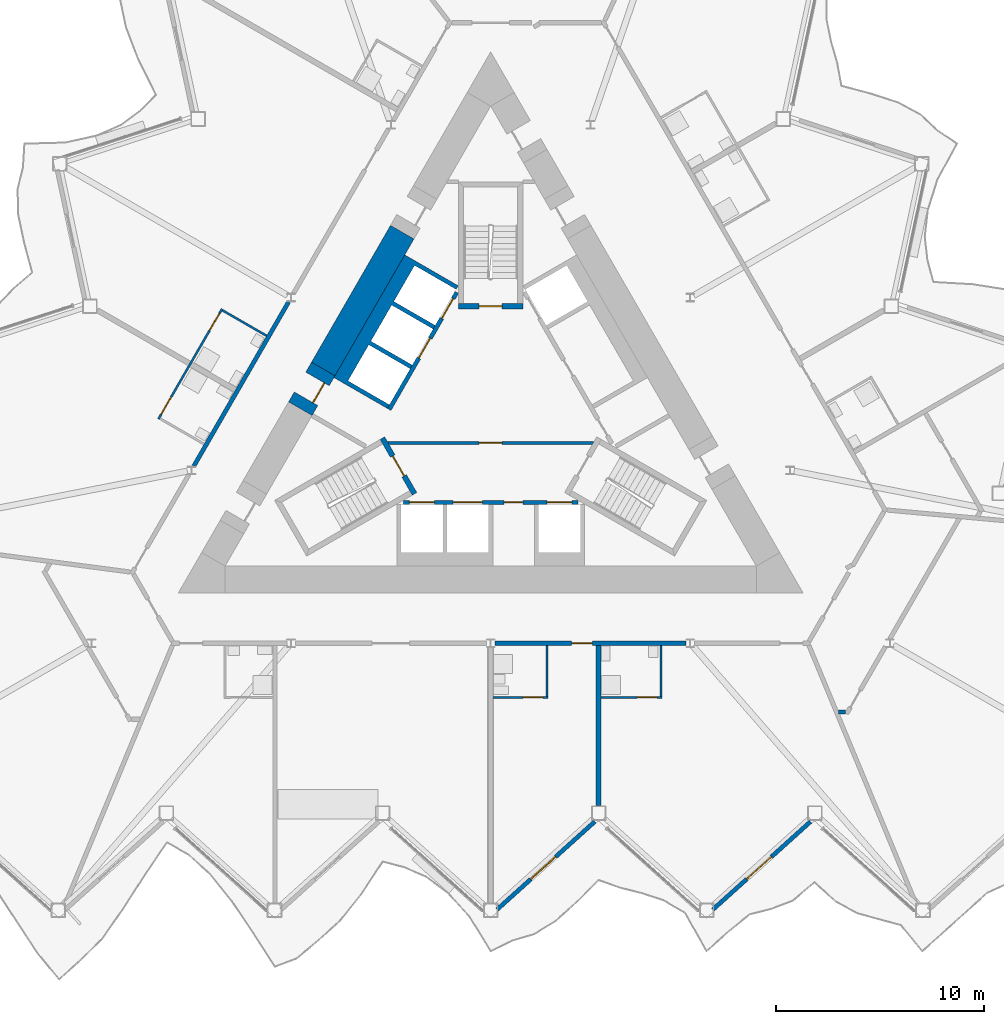
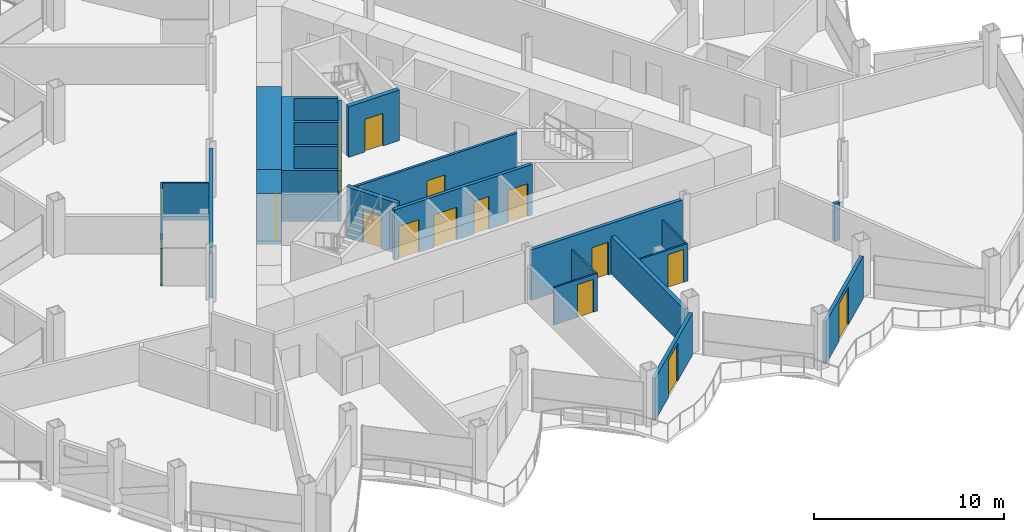
# One storey, part 12 of 23: 20 walls, 17 doors, 17 openings.
"""IFC4 building model written with IfcOpenShell, lengths in metres."""

from ifc_helpers import new_model, si_unit, direction, frame, frame_2d, origin, place, context, subcontext, project, spatial, polyline, rectangle, outline, extrude, material, layer, layer_set, type_object, element, fill, save


model = new_model("IFC4")

# Units and contexts
model_context = context("Model", 3, precision=1e-05, world=origin(), true_north=direction((0.0, 1.0)))
body_context = subcontext(model_context, "Body", "Model", "MODEL_VIEW")
ifc_project = project(units=[si_unit("LENGTHUNIT", "METRE"), si_unit("AREAUNIT", "SQUARE_METRE"), si_unit("VOLUMEUNIT", "CUBIC_METRE"), si_unit("PLANEANGLEUNIT", "RADIAN"), si_unit("MASSUNIT", "GRAM", prefix="KILO")], contexts=[model_context])

# Site, building, storey
site_placement = place(None, origin())
site = spatial("IfcSite", under=ifc_project, at=site_placement, CompositionType="ELEMENT")
building_placement = place(site_placement, origin())
building = spatial("IfcBuilding", under=site, at=building_placement, Name="Cormorant Prow Tower", CompositionType="ELEMENT")
storey_placement = place(building_placement, frame((0.0, 0.0, 252.60009765625)))
storey = spatial("IfcBuildingStorey", under=building, at=storey_placement, Name="L56", CompositionType="ELEMENT", Elevation=252.60009765625)

# Wall, opening, door
ifc_material_1 = material(Name="Gypsum board partition")
ifc_layer_1 = layer(ifc_material_1, 0.14990234375)
ifc_layer_set_1 = layer_set([ifc_layer_1], Name="Gypsum board partition")
wall_type_1 = type_object("IfcWallType", Name="Core partition 150", PredefinedType="PARTITIONING", material=ifc_layer_set_1)
wall_1_placement = place(storey_placement, frame((-4.941162109375, -1.449951171875, 0.0), z_axis=(0.0, 0.0, 1.0), x_axis=(1.0, 0.0, 0.0)))
wall_1 = element("IfcWall", 1, at=wall_1_placement, inside=storey, type_object=wall_type_1, Name="Firefighting lobby partition", PredefinedType="PARTITIONING", context=body_context, shape_type="SweptSolid", body=[
    extrude(rectangle(XDim=9.88232421875, YDim=0.14990234375, at=frame_2d((4.941162109375, 0.0))), origin(), (0.0, 0.0, 1.0), 3.25),
])
opening_1_placement = place(wall_1_placement, frame((4.39111328125, 0.0, 0.0)))
opening_1 = element("IfcOpeningElement", 2, at=opening_1_placement, cuts=wall_1, Name="Opening L56-C10", PredefinedType="OPENING", context=body_context, shape_type="SweptSolid", body=[
    extrude(rectangle(XDim=1.10009765625, YDim=2.10009765625, at=frame_2d((0.550048828125, 1.050048828125))), frame((0.0, 0.0849609375, 0.0), z_axis=(0.0, -1.0, 0.0), x_axis=(1.0, 0.0, 0.0)), (0.0, 0.0, 1.0), 0.169921875),
])
ifc_material_2 = material(Name="Painted steel", Category="steel")
door_type_1 = type_object("IfcDoorType", Name="Firefighting lobby door 1100x2100", OperationType="NOTDEFINED", PredefinedType="DOOR", material=ifc_material_2)
door_1_placement = place(opening_1_placement, origin())
door_1 = element("IfcDoor", 3, at=door_1_placement, inside=storey, type_object=door_type_1, Name="Firefighting lobby door", OperationType="SINGLE_SWING_LEFT", OverallHeight=2.10009765625, OverallWidth=1.10009765625, PredefinedType="DOOR", context=body_context, shape_type="SweptSolid", body=[
    extrude(rectangle(XDim=1.10009765625, YDim=2.10009765625, at=frame_2d((0.550048828125, 1.050048828125))), frame((0.0, 0.02490234375, 0.0), z_axis=(0.0, -1.0, 0.0), x_axis=(1.0, 0.0, 0.0)), (0.0, 0.0, 1.0), 0.050048828125),
])
fill(opening_1, door_1)

# Wall
ifc_material_3 = material(Name="Concrete 8000 psi", Category="concrete")
ifc_layer_2 = layer(ifc_material_3, 1.300048828125)
ifc_layer_set_2 = layer_set([ifc_layer_2], Name="Concrete 8000 psi")
wall_type_2 = type_object("IfcWallType", Name="Core shear wall 1300", PredefinedType="SHEAR", material=ifc_layer_set_2)
wall_2_placement = place(storey_placement, frame((-4.2451171875, 8.667724609375, 0.0), z_axis=(0.0, 0.0, 1.0), x_axis=(-0.500002971097, -0.866023688414, 0.0)))
element("IfcWall", 4, at=wall_2_placement, inside=storey, type_object=wall_type_2, Name="Core wall", PredefinedType="SHEAR", context=body_context, shape_type="SweptSolid", body=[
    extrude(rectangle(XDim=7.583984375, YDim=1.300048828125, at=frame_2d((3.7919921875, 0.0))), origin(), (0.0, 0.0, 1.0), 3.25),
])

# Wall, opening, door
wall_3_placement = place(storey_placement, frame((-8.037109375, 2.099853515625, 0.0), z_axis=(0.0, 0.0, 1.0), x_axis=(-0.50002983664, -0.866008176907, 0.0)))
wall_3 = element("IfcWall", 5, at=wall_3_placement, inside=storey, type_object=wall_type_2, Name="Core wall door panel", PredefinedType="SHEAR", context=body_context, shape_type="SweptSolid", body=[
    extrude(rectangle(XDim=2.199951171875, YDim=1.300048828125, at=frame_2d((1.10009765625, 0.0))), origin(), (0.0, 0.0, 1.0), 3.25),
])
opening_2_placement = place(wall_3_placement, frame((0.550048828125, 0.0, 0.0)))
opening_2 = element("IfcOpeningElement", 6, at=opening_2_placement, cuts=wall_3, Name="Opening L56-C19", PredefinedType="OPENING", context=body_context, shape_type="SweptSolid", body=[
    extrude(rectangle(XDim=1.10009765625, YDim=2.10009765625, at=frame_2d((0.550048828125, 1.050048828125))), frame((0.0, 0.659912109375, 0.0), z_axis=(0.0, -1.0, 0.0), x_axis=(1.0, 0.0, 0.0)), (0.0, 0.0, 1.0), 1.320068359375),
])
ifc_material_4 = material(Name="Painted steel", Category="steel")
door_type_2 = type_object("IfcDoorType", Name="Core door 1100x2100", OperationType="NOTDEFINED", PredefinedType="DOOR", material=ifc_material_4)
door_2_placement = place(opening_2_placement, origin())
door_2 = element("IfcDoor", 7, at=door_2_placement, inside=storey, type_object=door_type_2, Name="Core door, lift lobby", OperationType="SINGLE_SWING_RIGHT", OverallHeight=2.10009765625, OverallWidth=1.10009765625, PredefinedType="DOOR", context=body_context, shape_type="SweptSolid", body=[
    extrude(rectangle(XDim=1.10009765625, YDim=2.10009765625, at=frame_2d((0.550048828125, 1.050048828125))), frame((0.0, 0.40478515625, 0.0), z_axis=(0.0, -1.0, 0.0), x_axis=(1.0, 0.0, 0.0)), (0.0, 0.0, 1.0), 0.050048828125),
])
fill(opening_2, door_2)

ifc_material_5 = material(Name="Gypsum board corridor wall")
ifc_layer_3 = layer(ifc_material_5, 0.199951171875)
ifc_layer_set_3 = layer_set([ifc_layer_3], Name="Gypsum board corridor wall")
wall_type_3 = type_object("IfcWallType", Name="Corridor wall 200", PredefinedType="PARTITIONING", material=ifc_layer_set_3)
wall_4_placement = place(storey_placement, frame((0.20947265625, -11.060302734375, 0.0), z_axis=(0.0, 0.0, 1.0), x_axis=(1.0, 0.0, 0.0)))
wall_4 = element("IfcWall", 8, at=wall_4_placement, inside=storey, type_object=wall_type_3, Name="Corridor wall", PredefinedType="PARTITIONING", context=body_context, shape_type="SweptSolid", body=[
    extrude(rectangle(XDim=9.159423828125, YDim=0.199951171875, at=frame_2d((4.57958984375, 0.0))), origin(), (0.0, 0.0, 1.0), 3.25),
])
opening_3_placement = place(wall_4_placement, frame((3.676513671875, 0.0, 0.0)))
opening_3 = element("IfcOpeningElement", 9, at=opening_3_placement, cuts=wall_4, Name="Opening L56-F04", PredefinedType="OPENING", context=body_context, shape_type="SweptSolid", body=[
    extrude(rectangle(XDim=1.0, YDim=2.10009765625, at=frame_2d((0.5, 1.050048828125))), frame((0.0, 0.10986328125, 0.0), z_axis=(0.0, -1.0, 0.0), x_axis=(1.0, 0.0, 0.0)), (0.0, 0.0, 1.0), 0.219970703125),
])
ifc_material_6 = material(Name="Timber door leaf", Category="wood")
door_type_3 = type_object("IfcDoorType", Name="Flat or room entrance door 1000x2100", OperationType="NOTDEFINED", PredefinedType="DOOR", material=ifc_material_6)
door_3_placement = place(opening_3_placement, origin())
door_3 = element("IfcDoor", 10, at=door_3_placement, inside=storey, type_object=door_type_3, Name="Guest room door", OperationType="SINGLE_SWING_RIGHT", OverallHeight=2.10009765625, OverallWidth=1.0, PredefinedType="DOOR", context=body_context, shape_type="SweptSolid", body=[
    extrude(rectangle(XDim=1.0, YDim=2.10009765625, at=frame_2d((0.5, 1.050048828125))), frame((0.0, 0.02490234375, 0.0), z_axis=(0.0, -1.0, 0.0), x_axis=(1.0, 0.0, 0.0)), (0.0, 0.0, 1.0), 0.050048828125),
])
fill(opening_3, door_3)

# Walls
wall_5_placement = place(storey_placement, frame((-14.24658203125, -2.5556640625, 0.0), z_axis=(0.0, 0.0, 1.0), x_axis=(0.49998193945, 0.866035830797, 0.0)))
element("IfcWall", 11, at=wall_5_placement, inside=storey, type_object=wall_type_3, Name="Corridor wall", PredefinedType="PARTITIONING", context=body_context, shape_type="SweptSolid", body=[
    extrude(rectangle(XDim=9.094482421875, YDim=0.199951171875, at=frame_2d((4.54736328125, 0.0))), origin(), (0.0, 0.0, 1.0), 3.25),
])
ifc_material_7 = material(Name="Gypsum board demising wall")
ifc_layer_4 = layer(ifc_material_7, 0.199951171875)
ifc_layer_set_4 = layer_set([ifc_layer_4], Name="Gypsum board demising wall")
wall_type_4 = type_object("IfcWallType", Name="Demising wall 200", PredefinedType="PARTITIONING", material=ifc_layer_set_4)
wall_6_placement = place(storey_placement, frame((16.69775390625, -14.3603515625, 0.0), z_axis=(0.0, 0.0, 1.0), x_axis=(1.0, 0.0, 0.0)))
element("IfcWall", 12, at=wall_6_placement, inside=storey, type_object=wall_type_4, Name="Demising wall", PredefinedType="PARTITIONING", context=body_context, shape_type="SweptSolid", body=[
    extrude(rectangle(XDim=0.33837890625, YDim=0.199951171875, at=frame_2d((0.169189453125, 0.0))), origin(), (0.0, 0.0, 1.0), 2.404052734375),
])

# Wall, openings, doors
ifc_material_8 = material(Name="Gypsum board partition")
ifc_layer_5 = layer(ifc_material_8, 0.10009765625)
ifc_layer_set_5 = layer_set([ifc_layer_5], Name="Gypsum board partition")
wall_type_5 = type_object("IfcWallType", Name="Internal partition 100", PredefinedType="PARTITIONING", material=ifc_layer_set_5)
wall_7_placement = place(storey_placement, frame((-15.94482421875, -0.296875, 0.0), z_axis=(0.0, 0.0, 1.0), x_axis=(0.499978833458, 0.866037623948, 0.0)))
wall_7 = element("IfcWall", 13, at=wall_7_placement, inside=storey, type_object=wall_type_5, Name="Internal partition", PredefinedType="PARTITIONING", context=body_context, shape_type="SweptSolid", body=[
    extrude(rectangle(XDim=6.099853515625, YDim=0.10009765625, at=frame_2d((3.0498046875, 0.0))), origin(), (0.0, 0.0, 1.0), 2.404052734375),
])
opening_4_placement = place(wall_7_placement, frame((4.89990234375, 0.0, 0.0)))
opening_4 = element("IfcOpeningElement", 14, at=opening_4_placement, cuts=wall_7, Name="Opening L56-F22", PredefinedType="OPENING", context=body_context, shape_type="SweptSolid", body=[
    extrude(rectangle(XDim=0.949951171875, YDim=2.10009765625, at=frame_2d((0.47509765625, 1.050048828125))), frame((0.0, 0.06005859375, 0.0), z_axis=(0.0, -1.0, 0.0), x_axis=(1.0, 0.0, 0.0)), (0.0, 0.0, 1.0), 0.1201171875),
])
opening_5_placement = place(wall_7_placement, frame((0.25, 0.0, 0.0)))
opening_5 = element("IfcOpeningElement", 15, at=opening_5_placement, cuts=wall_7, Name="Opening L56-F24", PredefinedType="OPENING", context=body_context, shape_type="SweptSolid", body=[
    extrude(rectangle(XDim=0.949951171875, YDim=2.10009765625, at=frame_2d((0.47509765625, 1.050048828125))), frame((0.0, 0.06005859375, 0.0), z_axis=(0.0, -1.0, 0.0), x_axis=(1.0, 0.0, 0.0)), (0.0, 0.0, 1.0), 0.1201171875),
])
ifc_material_9 = material(Name="Timber door leaf", Category="wood")
door_type_4 = type_object("IfcDoorType", Name="Bathroom door 950x2100", OperationType="NOTDEFINED", PredefinedType="DOOR", material=ifc_material_9)
door_4_placement = place(opening_4_placement, origin())
door_4 = element("IfcDoor", 16, at=door_4_placement, inside=storey, type_object=door_type_4, Name="Executive suite bedroom door", OperationType="SINGLE_SWING_RIGHT", OverallHeight=2.10009765625, OverallWidth=0.949951171875, PredefinedType="DOOR", context=body_context, shape_type="SweptSolid", body=[
    extrude(rectangle(XDim=0.949951171875, YDim=2.10009765625, at=frame_2d((0.47509765625, 1.050048828125))), frame((0.0, 0.02490234375, 0.0), z_axis=(0.0, -1.0, 0.0), x_axis=(1.0, 0.0, 0.0)), (0.0, 0.0, 1.0), 0.050048828125),
])
fill(opening_4, door_4)
door_5_placement = place(opening_5_placement, origin())
door_5 = element("IfcDoor", 17, at=door_5_placement, inside=storey, type_object=door_type_4, Name="Executive suite bedroom door", OperationType="SINGLE_SWING_LEFT", OverallHeight=2.10009765625, OverallWidth=0.949951171875, PredefinedType="DOOR", context=body_context, shape_type="SweptSolid", body=[
    extrude(rectangle(XDim=0.949951171875, YDim=2.10009765625, at=frame_2d((0.47509765625, 1.050048828125))), frame((0.0, 0.02490234375, 0.0), z_axis=(0.0, -1.0, 0.0), x_axis=(1.0, 0.0, 0.0)), (0.0, 0.0, 1.0), 0.050048828125),
])
fill(opening_5, door_5)

# Wall, opening, door
wall_8_placement = place(storey_placement, frame((5.304443359375, -13.660400390625, 0.0), z_axis=(0.0, 0.0, 1.0), x_axis=(1.0, 0.0, 0.0)))
wall_8 = element("IfcWall", 18, at=wall_8_placement, inside=storey, type_object=wall_type_5, Name="Internal partition", PredefinedType="PARTITIONING", context=body_context, shape_type="SweptSolid", body=[
    extrude(rectangle(XDim=2.925048828125, YDim=0.10009765625, at=frame_2d((1.46240234375, 0.0))), origin(), (0.0, 0.0, 1.0), 2.404052734375),
])
opening_6_placement = place(wall_8_placement, frame((1.72509765625, 0.0, 0.0)))
opening_6 = element("IfcOpeningElement", 19, at=opening_6_placement, cuts=wall_8, Name="Opening L56-F07", PredefinedType="OPENING", context=body_context, shape_type="SweptSolid", body=[
    extrude(rectangle(XDim=0.949951171875, YDim=2.10009765625, at=frame_2d((0.47509765625, 1.050048828125))), frame((0.0, 0.06005859375, 0.0), z_axis=(0.0, -1.0, 0.0), x_axis=(1.0, 0.0, 0.0)), (0.0, 0.0, 1.0), 0.1201171875),
])
door_6_placement = place(opening_6_placement, origin())
door_6 = element("IfcDoor", 20, at=door_6_placement, inside=storey, type_object=door_type_4, Name="Executive suite bedroom door", OperationType="SINGLE_SWING_RIGHT", OverallHeight=2.10009765625, OverallWidth=0.949951171875, PredefinedType="DOOR", context=body_context, shape_type="SweptSolid", body=[
    extrude(rectangle(XDim=0.949951171875, YDim=2.10009765625, at=frame_2d((0.47509765625, 1.050048828125))), frame((0.0, 0.02490234375, 0.0), z_axis=(0.0, -1.0, 0.0), x_axis=(1.0, 0.0, 0.0)), (0.0, 0.0, 1.0), 0.050048828125),
])
fill(opening_6, door_6)

wall_9_placement = place(storey_placement, frame((0.10009765625, -13.660400390625, 0.0), z_axis=(0.0, 0.0, 1.0), x_axis=(1.0, 0.0, 0.0)))
wall_9 = element("IfcWall", 21, at=wall_9_placement, inside=storey, type_object=wall_type_5, Name="Internal partition", PredefinedType="PARTITIONING", context=body_context, shape_type="SweptSolid", body=[
    extrude(rectangle(XDim=2.64990234375, YDim=0.10009765625, at=frame_2d((1.324951171875, 0.0))), origin(), (0.0, 0.0, 1.0), 2.404052734375),
])
opening_7_placement = place(wall_9_placement, frame((1.449951171875, 0.0, 0.0)))
opening_7 = element("IfcOpeningElement", 22, at=opening_7_placement, cuts=wall_9, Name="Opening L56-F05", PredefinedType="OPENING", context=body_context, shape_type="SweptSolid", body=[
    extrude(rectangle(XDim=0.949951171875, YDim=2.10009765625, at=frame_2d((0.47509765625, 1.050048828125))), frame((0.0, 0.06005859375, 0.0), z_axis=(0.0, -1.0, 0.0), x_axis=(1.0, 0.0, 0.0)), (0.0, 0.0, 1.0), 0.1201171875),
])
door_7_placement = place(opening_7_placement, origin())
door_7 = element("IfcDoor", 23, at=door_7_placement, inside=storey, type_object=door_type_4, Name="Guest room door", OperationType="SINGLE_SWING_RIGHT", OverallHeight=2.10009765625, OverallWidth=0.949951171875, PredefinedType="DOOR", context=body_context, shape_type="SweptSolid", body=[
    extrude(rectangle(XDim=0.949951171875, YDim=2.10009765625, at=frame_2d((0.47509765625, 1.050048828125))), frame((0.0, 0.02490234375, 0.0), z_axis=(0.0, -1.0, 0.0), x_axis=(1.0, 0.0, 0.0)), (0.0, 0.0, 1.0), 0.050048828125),
])
fill(opening_7, door_7)

# Walls
for number, where, z_axis, x_axis, name in (
    (24, (-12.876708984375, 4.91748046875, 0.0), (0.0, 0.0, 1.0), (0.866057815567, -0.499943856944, 0.0), "Internal partition"),
    (25, (2.699951171875, -13.6103515625, 0.0), (0.0, 0.0, 1.0), (0.0, 1.0, 0.0), "Internal partition"),
    (26, (8.179443359375, -13.6103515625, 0.0), (0.0, 0.0, 1.0), (0.0, 1.0, 0.0), "Internal partition"),
):
    element("IfcWall", number, at=place(storey_placement, frame(where, z_axis=z_axis, x_axis=x_axis)), inside=storey, type_object=wall_type_5, Name=name, PredefinedType="PARTITIONING", context=body_context, shape_type="SweptSolid", body=[
        extrude(rectangle(XDim=2.449951171875, YDim=0.10009765625, at=frame_2d((1.22509765625, 0.0))), origin(), (0.0, 0.0, 1.0), 2.404052734375),
    ])

# Wall, openings, doors
ifc_material_10 = material(Name="Concrete 5000 psi", Category="concrete")
ifc_layer_6 = layer(ifc_material_10, 0.199951171875)
ifc_layer_set_6 = layer_set([ifc_layer_6], Name="Concrete 5000 psi")
wall_type_6 = type_object("IfcWallType", Name="Lift lobby wall 200", PredefinedType="SOLIDWALL", material=ifc_layer_set_6)
wall_10_placement = place(storey_placement, frame((-4.1865234375, -4.300048828125, 0.0), z_axis=(0.0, 0.0, 1.0), x_axis=(1.0, 0.0, 0.0)))
wall_10 = element("IfcWall", 27, at=wall_10_placement, inside=storey, type_object=wall_type_6, Name="Lift lobby wall, S block", PredefinedType="SOLIDWALL", context=body_context, shape_type="SweptSolid", body=[
    extrude(rectangle(XDim=8.373046875, YDim=0.199951171875, at=frame_2d((4.1865234375, 0.0))), origin(), (0.0, 0.0, 1.0), 3.25),
])
opening_8_placement = place(wall_10_placement, frame((0.28662109375, 0.0, 0.0)))
opening_8 = element("IfcOpeningElement", 28, at=opening_8_placement, cuts=wall_10, Name="Opening L56-C01", PredefinedType="OPENING", context=body_context, shape_type="SweptSolid", body=[
    extrude(rectangle(XDim=1.199951171875, YDim=2.10009765625, at=frame_2d((0.60009765625, 1.050048828125))), frame((0.0, 0.10986328125, 0.0), z_axis=(0.0, -1.0, 0.0), x_axis=(1.0, 0.0, 0.0)), (0.0, 0.0, 1.0), 0.219970703125),
])
opening_9_placement = place(wall_10_placement, frame((2.38671875, 0.0, 0.0)))
opening_9 = element("IfcOpeningElement", 29, at=opening_9_placement, cuts=wall_10, Name="Opening L56-C02", PredefinedType="OPENING", context=body_context, shape_type="SweptSolid", body=[
    extrude(rectangle(XDim=1.39990234375, YDim=2.10009765625, at=frame_2d((0.699951171875, 1.050048828125))), frame((0.0, 0.10986328125, 0.0), z_axis=(0.0, -1.0, 0.0), x_axis=(1.0, 0.0, 0.0)), (0.0, 0.0, 1.0), 0.219970703125),
])
opening_10_placement = place(wall_10_placement, frame((4.836669921875, 0.0, 0.0)))
opening_10 = element("IfcOpeningElement", 30, at=opening_10_placement, cuts=wall_10, Name="Opening L56-C03", PredefinedType="OPENING", context=body_context, shape_type="SweptSolid", body=[
    extrude(rectangle(XDim=0.89990234375, YDim=2.10009765625, at=frame_2d((0.449951171875, 1.050048828125))), frame((0.0, 0.10986328125, 0.0), z_axis=(0.0, -1.0, 0.0), x_axis=(1.0, 0.0, 0.0)), (0.0, 0.0, 1.0), 0.219970703125),
])
opening_11_placement = place(wall_10_placement, frame((6.88671875, 0.0, 0.0)))
opening_11 = element("IfcOpeningElement", 31, at=opening_11_placement, cuts=wall_10, Name="Opening L56-C04", PredefinedType="OPENING", context=body_context, shape_type="SweptSolid", body=[
    extrude(rectangle(XDim=1.199951171875, YDim=2.10009765625, at=frame_2d((0.60009765625, 1.050048828125))), frame((0.0, 0.10986328125, 0.0), z_axis=(0.0, -1.0, 0.0), x_axis=(1.0, 0.0, 0.0)), (0.0, 0.0, 1.0), 0.219970703125),
])
ifc_material_11 = material(Name="Painted steel", Category="steel")
door_type_5 = type_object("IfcDoorType", Name="Firefighting lift landing door 1200x2100", OperationType="SLIDING_TO_LEFT", PredefinedType="DOOR", material=ifc_material_11)
door_8_placement = place(opening_8_placement, origin())
door_8 = element("IfcDoor", 32, at=door_8_placement, inside=storey, type_object=door_type_5, Name="Landing door FL1", OperationType="SLIDING_TO_LEFT", OverallHeight=2.10009765625, OverallWidth=1.199951171875, PredefinedType="DOOR", context=body_context, shape_type="SweptSolid", body=[
    extrude(rectangle(XDim=1.199951171875, YDim=2.10009765625, at=frame_2d((0.60009765625, 1.050048828125))), frame((0.0, 0.02490234375, 0.0), z_axis=(0.0, -1.0, 0.0), x_axis=(1.0, 0.0, 0.0)), (0.0, 0.0, 1.0), 0.050048828125),
])
fill(opening_8, door_8)
door_9_placement = place(opening_11_placement, origin())
door_9 = element("IfcDoor", 33, at=door_9_placement, inside=storey, type_object=door_type_5, Name="Landing door FL2", OperationType="SLIDING_TO_LEFT", OverallHeight=2.10009765625, OverallWidth=1.199951171875, PredefinedType="DOOR", context=body_context, shape_type="SweptSolid", body=[
    extrude(rectangle(XDim=1.199951171875, YDim=2.10009765625, at=frame_2d((0.60009765625, 1.050048828125))), frame((0.0, 0.02490234375, 0.0), z_axis=(0.0, -1.0, 0.0), x_axis=(1.0, 0.0, 0.0)), (0.0, 0.0, 1.0), 0.050048828125),
])
fill(opening_11, door_9)
ifc_material_12 = material(Name="Painted steel", Category="steel")
door_type_6 = type_object("IfcDoorType", Name="Service door 900x2100", OperationType="NOTDEFINED", PredefinedType="DOOR", material=ifc_material_12)
door_10_placement = place(opening_10_placement, origin())
door_10 = element("IfcDoor", 34, at=door_10_placement, inside=storey, type_object=door_type_6, Name="Service door, Refuse store", OperationType="SINGLE_SWING_RIGHT", OverallHeight=2.10009765625, OverallWidth=0.89990234375, PredefinedType="DOOR", context=body_context, shape_type="SweptSolid", body=[
    extrude(rectangle(XDim=0.89990234375, YDim=2.10009765625, at=frame_2d((0.449951171875, 1.050048828125))), frame((0.0, 0.02490234375, 0.0), z_axis=(0.0, -1.0, 0.0), x_axis=(1.0, 0.0, 0.0)), (0.0, 0.0, 1.0), 0.050048828125),
])
fill(opening_10, door_10)
ifc_material_13 = material(Name="Painted steel", Category="steel")
door_type_7 = type_object("IfcDoorType", Name="Service lift landing door 1400x2100", OperationType="SLIDING_TO_LEFT", PredefinedType="DOOR", material=ifc_material_13)
door_11_placement = place(opening_9_placement, origin())
door_11 = element("IfcDoor", 35, at=door_11_placement, inside=storey, type_object=door_type_7, Name="Landing door SL1", OperationType="SLIDING_TO_LEFT", OverallHeight=2.10009765625, OverallWidth=1.39990234375, PredefinedType="DOOR", context=body_context, shape_type="SweptSolid", body=[
    extrude(rectangle(XDim=1.39990234375, YDim=2.10009765625, at=frame_2d((0.699951171875, 1.050048828125))), frame((0.0, 0.02490234375, 0.0), z_axis=(0.0, -1.0, 0.0), x_axis=(1.0, 0.0, 0.0)), (0.0, 0.0, 1.0), 0.050048828125),
])
fill(opening_9, door_11)

wall_11_placement = place(storey_placement, frame((-1.630615234375, 5.775634765625, 0.0), z_axis=(0.0, 0.0, 1.0), x_axis=(-0.499992876559, -0.866029516466, 0.0)))
wall_11 = element("IfcWall", 36, at=wall_11_placement, inside=storey, type_object=wall_type_6, Name="Lift lobby wall, WNW block", PredefinedType="SOLIDWALL", context=body_context, shape_type="SweptSolid", body=[
    extrude(rectangle(XDim=6.486328125, YDim=0.199951171875, at=frame_2d((3.2431640625, 0.0))), origin(), (0.0, 0.0, 1.0), 3.25),
])
opening_12_placement = place(wall_11_placement, frame((0.336669921875, 0.0, 0.0)))
opening_12 = element("IfcOpeningElement", 37, at=opening_12_placement, cuts=wall_11, Name="Opening L56-C08", PredefinedType="OPENING", context=body_context, shape_type="SweptSolid", body=[
    extrude(rectangle(XDim=1.10009765625, YDim=2.10009765625, at=frame_2d((0.550048828125, 1.050048828125))), frame((0.0, 0.10986328125, 0.0), z_axis=(0.0, -1.0, 0.0), x_axis=(1.0, 0.0, 0.0)), (0.0, 0.0, 1.0), 0.219970703125),
])
opening_13_placement = place(wall_11_placement, frame((2.53662109375, 0.0, 0.0)))
opening_13 = element("IfcOpeningElement", 38, at=opening_13_placement, cuts=wall_11, Name="Opening L56-C09", PredefinedType="OPENING", context=body_context, shape_type="SweptSolid", body=[
    extrude(rectangle(XDim=1.10009765625, YDim=2.10009765625, at=frame_2d((0.550048828125, 1.050048828125))), frame((0.0, 0.10986328125, 0.0), z_axis=(0.0, -1.0, 0.0), x_axis=(1.0, 0.0, 0.0)), (0.0, 0.0, 1.0), 0.219970703125),
])
ifc_material_14 = material(Name="Painted steel", Category="steel")
door_type_8 = type_object("IfcDoorType", Name="Lift landing door 1100x2100", OperationType="SLIDING_TO_LEFT", PredefinedType="DOOR", material=ifc_material_14)
door_12_placement = place(opening_12_placement, origin())
door_12 = element("IfcDoor", 39, at=door_12_placement, inside=storey, type_object=door_type_8, Name="Landing door MR2", OperationType="SLIDING_TO_LEFT", OverallHeight=2.10009765625, OverallWidth=1.10009765625, PredefinedType="DOOR", context=body_context, shape_type="SweptSolid", body=[
    extrude(rectangle(XDim=1.10009765625, YDim=2.10009765625, at=frame_2d((0.550048828125, 1.050048828125))), frame((0.0, 0.02490234375, 0.0), z_axis=(0.0, -1.0, 0.0), x_axis=(1.0, 0.0, 0.0)), (0.0, 0.0, 1.0), 0.050048828125),
])
fill(opening_12, door_12)
door_13_placement = place(opening_13_placement, origin())
door_13 = element("IfcDoor", 40, at=door_13_placement, inside=storey, type_object=door_type_8, Name="Landing door MR3", OperationType="SLIDING_TO_LEFT", OverallHeight=2.10009765625, OverallWidth=1.10009765625, PredefinedType="DOOR", context=body_context, shape_type="SweptSolid", body=[
    extrude(rectangle(XDim=1.10009765625, YDim=2.10009765625, at=frame_2d((0.550048828125, 1.050048828125))), frame((0.0, 0.02490234375, 0.0), z_axis=(0.0, -1.0, 0.0), x_axis=(1.0, 0.0, 0.0)), (0.0, 0.0, 1.0), 0.050048828125),
])
fill(opening_13, door_13)

# Wall
ifc_material_15 = material(Name="Concrete 8000 psi", Category="concrete")
ifc_layer_7 = layer(ifc_material_15, 0.199951171875)
ifc_layer_set_7 = layer_set([ifc_layer_7], Name="Concrete 8000 psi")
wall_type_7 = type_object("IfcWallType", Name="Lift shaft wall 200", PredefinedType="SHEAR", material=ifc_layer_set_7)
wall_12_placement = place(storey_placement, origin())
element("IfcWall", 41, at=wall_12_placement, inside=storey, type_object=wall_type_7, Name="Lift shaft walls, WNW block", PredefinedType="SHEAR", context=body_context, shape_type="SweptSolid", body=[
    extrude(outline(polyline([(-7.524169921875, 1.688232421875), (-4.124267578125, 7.5771484375), (-3.730712890625, 7.35009765625), (-1.560546875, 6.09716796875), (-1.660400390625, 5.923828125), (-3.65234375, 7.073974609375), (-4.65234375, 5.341796875), (-2.660400390625, 4.19189453125), (-2.760498046875, 4.018798828125), (-4.75244140625, 5.168701171875), (-5.75244140625, 3.4365234375), (-3.760498046875, 2.28662109375), (-3.860595703125, 2.11328125), (-5.852294921875, 3.263427734375), (-6.852294921875, 1.53125), (-4.860595703125, 0.38134765625), (-4.96044921875, 0.2080078125), (-7.130859375, 1.461181640625), (-7.524169921875, 1.688232421875)])), origin(), (0.0, 0.0, 1.0), 3.25),
])

# Wall, opening, door
ifc_material_16 = material(Name="Concrete 8000 psi", Category="concrete")
ifc_layer_8 = layer(ifc_material_16, 0.25)
ifc_layer_set_8 = layer_set([ifc_layer_8], Name="Concrete 8000 psi")
wall_type_8 = type_object("IfcWallType", Name="Stair wall 250", PredefinedType="SHEAR", material=ifc_layer_set_8)
wall_13_placement = place(storey_placement, frame((-5.198974609375, -1.21875, 0.0), z_axis=(0.0, 0.0, 1.0), x_axis=(0.499982516597, -0.866035497597, 0.0)))
wall_13 = element("IfcWall", 42, at=wall_13_placement, inside=storey, type_object=wall_type_8, Name="Stair ST1 door wall", PredefinedType="SHEAR", context=body_context, shape_type="SweptSolid", body=[
    extrude(rectangle(XDim=3.087890625, YDim=0.25, at=frame_2d((1.5439453125, 0.0))), origin(), (0.0, 0.0, 1.0), 3.25),
])
opening_14_placement = place(wall_13_placement, frame((0.993896484375, 0.0, 0.0)))
opening_14 = element("IfcOpeningElement", 43, at=opening_14_placement, cuts=wall_13, Name="Opening L56-C11", PredefinedType="OPENING", context=body_context, shape_type="SweptSolid", body=[
    extrude(rectangle(XDim=1.10009765625, YDim=2.10009765625, at=frame_2d((0.550048828125, 1.050048828125))), frame((0.0, 0.135009765625, 0.0), z_axis=(0.0, -1.0, 0.0), x_axis=(1.0, 0.0, 0.0)), (0.0, 0.0, 1.0), 0.27001953125),
])
ifc_material_17 = material(Name="Painted steel", Category="steel")
door_type_9 = type_object("IfcDoorType", Name="Stair door 1100x2100", OperationType="NOTDEFINED", PredefinedType="DOOR", material=ifc_material_17)
door_14_placement = place(opening_14_placement, origin())
door_14 = element("IfcDoor", 44, at=door_14_placement, inside=storey, type_object=door_type_9, Name="Stair ST1 door", OperationType="SINGLE_SWING_LEFT", OverallHeight=2.10009765625, OverallWidth=1.10009765625, PredefinedType="DOOR", context=body_context, shape_type="SweptSolid", body=[
    extrude(rectangle(XDim=1.10009765625, YDim=2.10009765625, at=frame_2d((0.550048828125, 1.050048828125))), frame((0.0, 0.02490234375, 0.0), z_axis=(0.0, -1.0, 0.0), x_axis=(1.0, 0.0, 0.0)), (0.0, 0.0, 1.0), 0.050048828125),
])
fill(opening_14, door_14)

wall_14_placement = place(storey_placement, frame((1.5439453125, 5.11181640625, 0.0), z_axis=(0.0, 0.0, 1.0), x_axis=(-1.0, 0.0, 0.0)))
wall_14 = element("IfcWall", 45, at=wall_14_placement, inside=storey, type_object=wall_type_8, Name="Stair ST3 door wall", PredefinedType="SHEAR", context=body_context, shape_type="SweptSolid", body=[
    extrude(rectangle(XDim=3.087890625, YDim=0.25, at=frame_2d((1.5439453125, 0.0))), origin(), (0.0, 0.0, 1.0), 3.25),
])
opening_15_placement = place(wall_14_placement, frame((0.993896484375, 0.0, 0.0)))
opening_15 = element("IfcOpeningElement", 46, at=opening_15_placement, cuts=wall_14, Name="Opening L56-C13", PredefinedType="OPENING", context=body_context, shape_type="SweptSolid", body=[
    extrude(rectangle(XDim=1.10009765625, YDim=2.10009765625, at=frame_2d((0.550048828125, 1.050048828125))), frame((0.0, 0.135009765625, 0.0), z_axis=(0.0, -1.0, 0.0), x_axis=(1.0, 0.0, 0.0)), (0.0, 0.0, 1.0), 0.27001953125),
])
door_15_placement = place(opening_15_placement, origin())
door_15 = element("IfcDoor", 47, at=door_15_placement, inside=storey, type_object=door_type_9, Name="Stair ST3 door", OperationType="SINGLE_SWING_LEFT", OverallHeight=2.10009765625, OverallWidth=1.10009765625, PredefinedType="DOOR", context=body_context, shape_type="SweptSolid", body=[
    extrude(rectangle(XDim=1.10009765625, YDim=2.10009765625, at=frame_2d((0.550048828125, 1.050048828125))), frame((0.0, 0.02490234375, 0.0), z_axis=(0.0, -1.0, 0.0), x_axis=(1.0, 0.0, 0.0)), (0.0, 0.0, 1.0), 0.050048828125),
])
fill(opening_15, door_15)

# Wall
ifc_material_18 = material(Name="Acoustic gypsum party wall")
ifc_layer_9 = layer(ifc_material_18, 0.25)
ifc_layer_set_9 = layer_set([ifc_layer_9], Name="Acoustic gypsum party wall")
wall_type_9 = type_object("IfcWallType", Name="Suite party wall 250", PredefinedType="PARTITIONING", material=ifc_layer_set_9)
wall_15_placement = place(storey_placement, frame((5.179443359375, -18.85546875, 0.0), z_axis=(0.0, 0.0, 1.0), x_axis=(0.0, 1.0, 0.0)))
element("IfcWall", 48, at=wall_15_placement, inside=storey, type_object=wall_type_9, Name="Suite party wall", PredefinedType="PARTITIONING", context=body_context, shape_type="SweptSolid", body=[
    extrude(rectangle(XDim=7.695068359375, YDim=0.25, at=frame_2d((3.84765625, 0.0))), origin(), (0.0, 0.0, 1.0), 2.404052734375),
])

# Wall, opening, door
ifc_material_19 = material(Name="Terracotta", Category="masonry")
ifc_layer_10 = layer(ifc_material_19, 0.199951171875)
ifc_layer_set_10 = layer_set([ifc_layer_10], Name="Terracotta")
wall_type_10 = type_object("IfcWallType", Name="Terracotta jamb wall 200", PredefinedType="SOLIDWALL", material=ifc_layer_set_10)
wall_16_placement = place(storey_placement, frame((0.305419921875, -23.84765625, 0.0), z_axis=(0.0, 0.0, 1.0), x_axis=(0.74314024121, 0.669135697668, 0.0)))
wall_16 = element("IfcWall", 49, at=wall_16_placement, inside=storey, type_object=wall_type_10, Name="Terracotta jamb wall S05", PredefinedType="SOLIDWALL", context=body_context, shape_type="SweptSolid", body=[
    extrude(rectangle(XDim=6.31103515625, YDim=0.199951171875, at=frame_2d((3.155517578125, 0.0))), origin(), (0.0, 0.0, 1.0), 2.70068359375),
])
opening_16_placement = place(wall_16_placement, frame((2.183837890625, 0.0, 0.0)))
opening_16 = element("IfcOpeningElement", 50, at=opening_16_placement, cuts=wall_16, Name="Opening ED56.03", PredefinedType="OPENING", context=body_context, shape_type="SweptSolid", body=[
    extrude(rectangle(XDim=1.60009765625, YDim=2.39990234375, at=frame_2d((0.800048828125, 1.199951171875))), frame((0.0, 0.10986328125, 0.0), z_axis=(0.0, -1.0, 0.0), x_axis=(1.0, 0.0, 0.0)), (0.0, 0.0, 1.0), 0.219970703125),
])
ifc_material_20 = material(Name="Aluminium 6063-T6", Category="aluminium")
door_type_10 = type_object("IfcDoorType", Name="Balcony door 1600x2400", OperationType="DOUBLE_DOOR_SINGLE_SWING", PredefinedType="DOOR", material=ifc_material_20)
door_16_placement = place(opening_16_placement, origin())
door_16 = element("IfcDoor", 51, at=door_16_placement, inside=storey, type_object=door_type_10, Name="Balcony door S05 ED56.03", OperationType="DOUBLE_DOOR_SINGLE_SWING", OverallHeight=2.39990234375, OverallWidth=1.60009765625, PredefinedType="DOOR", context=body_context, shape_type="SweptSolid", body=[
    extrude(rectangle(XDim=1.60009765625, YDim=2.39990234375, at=frame_2d((0.800048828125, 1.199951171875))), frame((0.0, 0.02490234375, 0.0), z_axis=(0.0, -1.0, 0.0), x_axis=(1.0, 0.0, 0.0)), (0.0, 0.0, 1.0), 0.050048828125),
])
fill(opening_16, door_16)

wall_17_placement = place(storey_placement, frame((10.664306640625, -23.84765625, 0.0), z_axis=(0.0, 0.0, 1.0), x_axis=(0.74314024121, 0.669135697668, 0.0)))
wall_17 = element("IfcWall", 52, at=wall_17_placement, inside=storey, type_object=wall_type_10, Name="Terracotta jamb wall S07", PredefinedType="SOLIDWALL", context=body_context, shape_type="SweptSolid", body=[
    extrude(rectangle(XDim=6.31103515625, YDim=0.199951171875, at=frame_2d((3.155517578125, 0.0))), origin(), (0.0, 0.0, 1.0), 2.70068359375),
])
opening_17_placement = place(wall_17_placement, frame((2.183837890625, 0.0, 0.0)))
opening_17 = element("IfcOpeningElement", 53, at=opening_17_placement, cuts=wall_17, Name="Opening ED56.04", PredefinedType="OPENING", context=body_context, shape_type="SweptSolid", body=[
    extrude(rectangle(XDim=1.60009765625, YDim=2.39990234375, at=frame_2d((0.800048828125, 1.199951171875))), frame((0.0, 0.10986328125, 0.0), z_axis=(0.0, -1.0, 0.0), x_axis=(1.0, 0.0, 0.0)), (0.0, 0.0, 1.0), 0.219970703125),
])
door_17_placement = place(opening_17_placement, origin())
door_17 = element("IfcDoor", 54, at=door_17_placement, inside=storey, type_object=door_type_10, Name="Balcony door S07 ED56.04", OperationType="DOUBLE_DOOR_SINGLE_SWING", OverallHeight=2.39990234375, OverallWidth=1.60009765625, PredefinedType="DOOR", context=body_context, shape_type="SweptSolid", body=[
    extrude(rectangle(XDim=1.60009765625, YDim=2.39990234375, at=frame_2d((0.800048828125, 1.199951171875))), frame((0.0, 0.02490234375, 0.0), z_axis=(0.0, -1.0, 0.0), x_axis=(1.0, 0.0, 0.0)), (0.0, 0.0, 1.0), 0.050048828125),
])
fill(opening_17, door_17)

save(model, "model.ifc")
